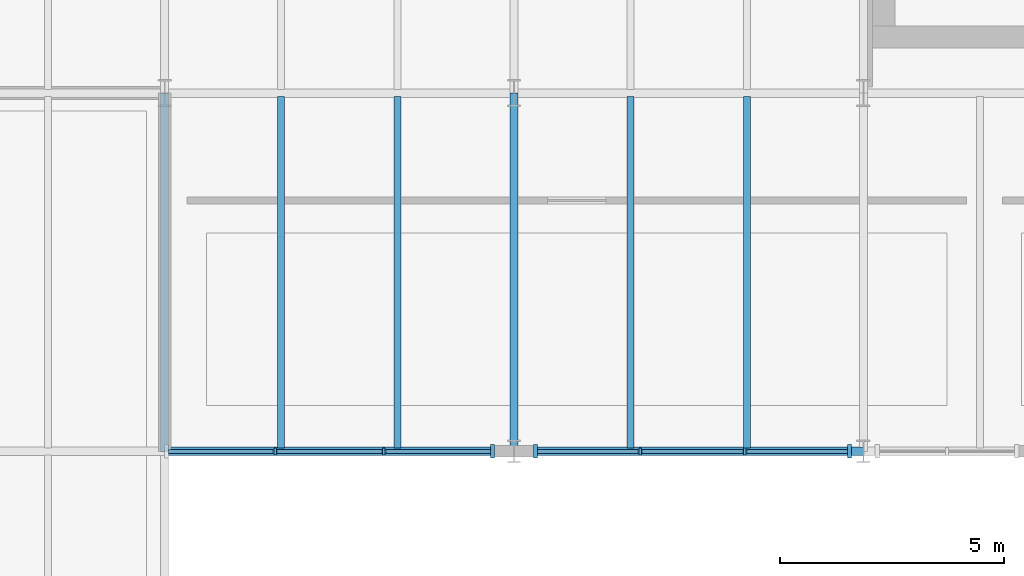
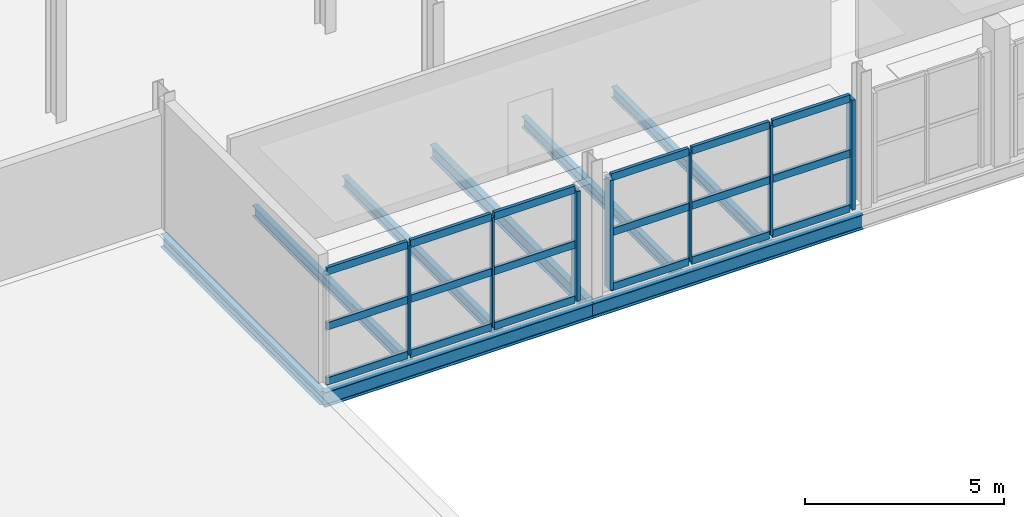
# One storey, part 19 of 58: 25 members, 8 beams, 2 elements without a shape of their own.
"""IFC4 building model written with IfcOpenShell, lengths in metres."""

import ifcopenshell
import ifcopenshell.guid

model = None  # the IFC model being written
_history = None  # IfcOwnerHistory: only IFC2X3 demands one
_inside = {}  # id of a spatial element -> (the spatial element, [elements in it])
_under = {}  # id of a project, library or spatial element -> (it, [spatial elements below it])
_declared = {}  # id of a project -> (the project, [libraries it declares])
_typed = {}  # id of a type object -> (the type object, [elements of that type])
_made_of = {}  # id of a material, layer set ... -> (it, [elements and type objects made of it])


def new_model(schema):
    """Start an empty IFC model of exactly this schema.

    Asked for "IFC4X3", IfcOpenShell would pick the latest addendum, in which some entities
    have other attributes; the version numbers below select the first issue.
    IFC2X3 requires an IfcOwnerHistory on every rooted entity: one is made here for all.
    """
    global model, _history
    if schema == "IFC4X3":
        model = ifcopenshell.file(schema_version=(4, 3, 0, 0))
    else:
        model = ifcopenshell.file(schema=schema)
    _inside.clear()
    _under.clear()
    _declared.clear()
    _typed.clear()
    _made_of.clear()
    _history = None
    if model.schema == "IFC2X3":
        org = make("IfcOrganization", Name="unknown")
        user = make(
            "IfcPersonAndOrganization",
            ThePerson=make("IfcPerson", FamilyName="unknown"),
            TheOrganization=org,
        )
        app = make(
            "IfcApplication",
            ApplicationDeveloper=org,
            Version="unknown",
            ApplicationFullName="unknown",
            ApplicationIdentifier="unknown",
        )
        _history = make(
            "IfcOwnerHistory",
            OwningUser=user,
            OwningApplication=app,
            ChangeAction="ADDED",
            CreationDate=0,
        )
    return model


def make(cls, **values):
    """One entity of the class cls with the attributes given. An attribute that is None is left unset."""
    return model.create_entity(
        cls, **{name: value for name, value in values.items() if value is not None}
    )


def rooted(cls, **values):
    """An entity with a GlobalId (a new one), such as an element, a storey or a relation."""
    return make(cls, GlobalId=ifcopenshell.guid.new(), OwnerHistory=_history, **values)


def si_unit(unit_type, name, prefix=None):
    """IfcSIUnit, for example si_unit("LENGTHUNIT", "METRE", prefix="MILLI")."""
    return make("IfcSIUnit", UnitType=unit_type, Prefix=prefix, Name=name)


def assignment(units):
    """IfcUnitAssignment: the units of a project."""
    return None if units is None else make("IfcUnitAssignment", Units=units)


def point(xyz):
    """IfcCartesianPoint."""
    return None if xyz is None else make("IfcCartesianPoint", Coordinates=xyz)


def direction(xyz):
    """IfcDirection."""
    return None if xyz is None else make("IfcDirection", DirectionRatios=xyz)


def frame(location, z_axis=None, x_axis=None):
    """IfcAxis2Placement3D, a coordinate frame: its origin and axes. An axis left out is left unset."""
    return make(
        "IfcAxis2Placement3D",
        Location=point(location),
        Axis=direction(z_axis),
        RefDirection=direction(x_axis),
    )


def frame_2d(location, x_axis=None):
    """IfcAxis2Placement2D, a coordinate frame in the plane: its origin and x axis."""
    return make(
        "IfcAxis2Placement2D", Location=point(location), RefDirection=direction(x_axis)
    )


def origin():
    """The frame at (0, 0, 0) with its axes left unset."""
    return frame((0.0, 0.0, 0.0))


def origin_2d():
    """The frame at (0, 0) in the plane with its x axis left unset."""
    return frame_2d((0.0, 0.0))


def place(relative_to, where):
    """IfcLocalPlacement: puts the frame where relative to a parent placement (None: the world)."""
    return make(
        "IfcLocalPlacement", PlacementRelTo=relative_to, RelativePlacement=where
    )


def context(
    kind, dimensions, precision=None, world=None, true_north=None, identifier=None
):
    """IfcGeometricRepresentationContext, for example the 3D "Model" context."""
    return make(
        "IfcGeometricRepresentationContext",
        ContextIdentifier=identifier,
        ContextType=kind,
        CoordinateSpaceDimension=dimensions,
        Precision=precision,
        WorldCoordinateSystem=world,
        TrueNorth=true_north,
    )


def subcontext(parent, identifier, kind, view, scale=None):
    """IfcGeometricRepresentationSubContext, for example "Body" below "Model"."""
    return make(
        "IfcGeometricRepresentationSubContext",
        ContextIdentifier=identifier,
        ContextType=kind,
        ParentContext=parent,
        TargetScale=scale,
        TargetView=view,
    )


def project(units=None, contexts=None):
    """IfcProject with its units and contexts."""
    return rooted(
        "IfcProject",
        Name="project",
        RepresentationContexts=contexts,
        UnitsInContext=assignment(units),
    )


def spatial(cls, under=None, at=None, **own):
    """A site, building, storey or space (cls), placed at a placement, below another one or the project."""
    s = rooted(cls, ObjectPlacement=at, **own)
    if under is not None:
        _under.setdefault(under.id(), (under, []))[1].append(s)
    return s


def profile(cls, at=None, kind="AREA", **sizes):
    """A parametric profile (cls). Its sizes go by their IFC names, for example OverallWidth=200.0."""
    return make(cls, ProfileType=kind, Position=at, **sizes)


def rectangle(**sizes):
    """IfcRectangleProfileDef."""
    return profile("IfcRectangleProfileDef", **sizes)


def i_section(**sizes):
    """IfcIShapeProfileDef."""
    return profile("IfcIShapeProfileDef", **sizes)


def extrude(swept, where, along, depth):
    """IfcExtrudedAreaSolid: the profile swept, set in the frame where, extruded along a direction by depth."""
    return make(
        "IfcExtrudedAreaSolid",
        SweptArea=swept,
        Position=where,
        ExtrudedDirection=direction(along),
        Depth=depth,
    )


def shape(context_of_items, identifier, shape_type, items):
    """IfcShapeRepresentation: the items that make up one representation, for example the "Body"."""
    return make(
        "IfcShapeRepresentation",
        ContextOfItems=context_of_items,
        RepresentationIdentifier=identifier,
        RepresentationType=shape_type,
        Items=items,
    )


def material(Name=None, Category=None):
    """IfcMaterial."""
    return make("IfcMaterial", Name=Name, Category=Category)


def layer(
    of_material, thickness, ventilated=None, Name=None, Category=None, Priority=None
):
    """IfcMaterialLayer: one layer of a wall or slab, of a material (None: an air gap)."""
    return make(
        "IfcMaterialLayer",
        Material=of_material,
        LayerThickness=thickness,
        IsVentilated=ventilated,
        Name=Name,
        Category=Category,
        Priority=Priority,
    )


def layer_set(layers, Name=None):
    """IfcMaterialLayerSet."""
    return make("IfcMaterialLayerSet", MaterialLayers=layers, LayerSetName=Name)


def material_profile(
    of_material, cross_section, Name=None, Category=None, Priority=None
):
    """IfcMaterialProfile: a cross section and its material."""
    return make(
        "IfcMaterialProfile",
        Name=Name,
        Material=of_material,
        Profile=cross_section,
        Priority=Priority,
        Category=Category,
    )


def profile_set(profiles, Name=None, composite=None):
    """IfcMaterialProfileSet."""
    return make(
        "IfcMaterialProfileSet",
        Name=Name,
        MaterialProfiles=profiles,
        CompositeProfile=composite,
    )


def made_of(thing, what):
    """Note that an element or type object is made of a material, layer set ...; save() writes the relation."""
    if what is not None:
        _made_of.setdefault(what.id(), (what, []))[1].append(thing)
    return thing


def type_object(cls, material=None, **own):
    """A type object (cls), such as IfcWallType, which elements share."""
    return made_of(rooted(cls, **own), material)


def element(
    cls,
    number,
    at=None,
    inside=None,
    cuts=None,
    type_object=None,
    material=None,
    context=None,
    identifier="Body",
    shape_type=None,
    held_by="IfcProductDefinitionShape",
    body=None,
    shapes=None,
    **own,
):
    """One element of the class cls, such as IfcWall. Its Tag is "e" and its number.

    at: its placement. inside: the storey or other place that contains it. cuts: it is an
    opening in that element (IfcRelVoidsElement). A single representation is given by context,
    identifier, shape_type and body (its items); several are given by shapes. held_by: the class
    of the entity that holds the representations. save() writes the other relations.
    """
    e = rooted(cls, Tag="e%d" % number, ObjectPlacement=at, **own)
    if body is not None:
        shapes = [shape(context, identifier, shape_type, body)]
    if shapes is not None:
        e.Representation = make(held_by, Representations=shapes)
    if inside is not None:
        _inside.setdefault(inside.id(), (inside, []))[1].append(e)
    if cuts is not None:
        rooted(
            "IfcRelVoidsElement", RelatingBuildingElement=cuts, RelatedOpeningElement=e
        )
    if type_object is not None:
        _typed.setdefault(type_object.id(), (type_object, []))[1].append(e)
    return made_of(e, material)


def aggregate(whole, parts):
    """IfcRelAggregates: a whole, such as a stair, and the parts it consists of."""
    return rooted("IfcRelAggregates", RelatingObject=whole, RelatedObjects=parts)


def save(model, path):
    """Write the relations noted so far, then the file.

    IfcRelAggregates (storeys below a building ...), IfcRelContainedInSpatialStructure (elements
    in a storey), IfcRelDefinesByType, IfcRelAssociatesMaterial and IfcRelDeclares: one each for
    every whole, place, type object, material and project.
    """
    for whole, parts in _under.values():
        aggregate(whole, parts)
    for where, things in _inside.values():
        rooted(
            "IfcRelContainedInSpatialStructure",
            RelatedElements=things,
            RelatingStructure=where,
        )
    for kind, things in _typed.values():
        rooted("IfcRelDefinesByType", RelatedObjects=things, RelatingType=kind)
    for what, things in _made_of.values():
        rooted("IfcRelAssociatesMaterial", RelatedObjects=things, RelatingMaterial=what)
    for by, libraries in _declared.values():
        rooted("IfcRelDeclares", RelatingContext=by, RelatedDefinitions=libraries)
    model.write(path)


model = new_model("IFC4")

# Units and contexts
model_context = context("Model", 3, precision=1e-05, world=origin(), true_north=direction((0.0, 1.0)))
body_context = subcontext(model_context, "Body", "Model", "MODEL_VIEW")
ifc_project = project(units=[si_unit("LENGTHUNIT", "METRE"), si_unit("AREAUNIT", "SQUARE_METRE"), si_unit("VOLUMEUNIT", "CUBIC_METRE"), si_unit("PLANEANGLEUNIT", "RADIAN"), si_unit("MASSUNIT", "GRAM", prefix="KILO")], contexts=[model_context])

# Site, building, storey
site_placement = place(None, origin())
site = spatial("IfcSite", under=ifc_project, at=site_placement, CompositionType="ELEMENT")
building_placement = place(site_placement, origin())
building = spatial("IfcBuilding", under=site, at=building_placement, Name="Sefraquen Railside Congress Hotel", CompositionType="ELEMENT")
storey_placement = place(building_placement, frame((0.0, 0.0, 16.199951171875)))
storey = spatial("IfcBuildingStorey", under=building, at=storey_placement, Name="L03", CompositionType="ELEMENT", Elevation=16.199951171875)

# Beams
ifc_material_1 = material(Name="Steel S355JR", Category="steel")
ifc_material_profile_1 = material_profile(ifc_material_1, i_section(OverallWidth=0.179931640625, OverallDepth=0.39990234375, WebThickness=0.008544921875, FlangeThickness=0.013427734375, FilletRadius=0.02099609375, at=origin_2d()), Name="IPE 400")
ifc_profile_set_1 = profile_set([ifc_material_profile_1], Name="Steel S355JR")
beam_type_1 = type_object("IfcBeamType", Name="TB-BM-400I", PredefinedType="BEAM", material=ifc_profile_set_1)
for number, where, z_axis, x_axis, name in (
    (1, (48.60009765625, 88.0, -0.47998046875), (0.0, 1.0, 0.0), (-1.0, 0.0, 0.0), "Floor beam BM-L03-1181"),
    (2, (56.39990234375, 88.0, -0.47998046875), (0.0, 1.0, 0.0), (-1.0, 0.0, 0.0), "Floor beam BM-L03-1185"),
):
    element("IfcBeam", number, at=place(storey_placement, frame(where, z_axis=z_axis, x_axis=x_axis)), inside=storey, type_object=beam_type_1, Name=name, PredefinedType="BEAM", context=body_context, shape_type="SweptSolid", body=[
        extrude(i_section(OverallWidth=0.179931640625, OverallDepth=0.39990234375, WebThickness=0.008544921875, FlangeThickness=0.013427734375, FilletRadius=0.02099609375, at=origin_2d()), origin(), (0.0, 0.0, 1.0), 8.0),
    ])
ifc_material_profile_2 = material_profile(ifc_material_1, i_section(OverallWidth=0.18994140625, OverallDepth=0.449951171875, WebThickness=0.009521484375, FlangeThickness=0.0146484375, FilletRadius=0.02099609375, at=origin_2d()), Name="IPE 450")
ifc_profile_set_2 = profile_set([ifc_material_profile_2], Name="Steel S355JR")
beam_type_2 = type_object("IfcBeamType", Name="TB-BM-450", PredefinedType="BEAM", material=ifc_profile_set_2)
beam_1_placement = place(storey_placement, frame((48.60009765625, 88.0, -0.5048828125), z_axis=(1.0, 0.0, 0.0), x_axis=(0.0, 1.0, 0.0)))
element("IfcBeam", 3, at=beam_1_placement, inside=storey, type_object=beam_type_2, Name="Primary girder BM-L03-1060", PredefinedType="BEAM", context=body_context, shape_type="SweptSolid", body=[
    extrude(i_section(OverallWidth=0.18994140625, OverallDepth=0.449951171875, WebThickness=0.009521484375, FlangeThickness=0.0146484375, FilletRadius=0.02099609375, at=origin_2d()), origin(), (0.0, 0.0, 1.0), 7.7998046875),
])
beam_2_placement = place(storey_placement, frame((56.39990234375, 88.0, -0.5048828125), z_axis=(1.0, 0.0, 0.0), x_axis=(0.0, 1.0, 0.0)))
element("IfcBeam", 4, at=beam_2_placement, inside=storey, type_object=beam_type_2, Name="Primary girder BM-L03-1061", PredefinedType="BEAM", context=body_context, shape_type="SweptSolid", body=[
    extrude(i_section(OverallWidth=0.18994140625, OverallDepth=0.449951171875, WebThickness=0.009521484375, FlangeThickness=0.0146484375, FilletRadius=0.02099609375, at=origin_2d()), origin(), (0.0, 0.0, 1.0), 7.800048828125),
])
ifc_material_profile_3 = material_profile(ifc_material_1, i_section(OverallWidth=0.159912109375, OverallDepth=0.330078125, WebThickness=0.007568359375, FlangeThickness=0.011474609375, FilletRadius=0.01806640625, at=origin_2d()), Name="IPE 330")
ifc_profile_set_3 = profile_set([ifc_material_profile_3], Name="Steel S355JR")
beam_type_3 = type_object("IfcBeamType", Name="TB-JST-330", PredefinedType="JOIST", material=ifc_profile_set_3)
for number, where, z_axis, x_axis, name in (
    (5, (51.199951171875, 88.074951171875, -0.445068359375), (0.0, 1.0, 0.0), (-1.0, 0.0, 0.0), "Composite floor joist BM-L03-J0730"),
    (6, (53.800048828125, 88.074951171875, -0.445068359375), (0.0, 1.0, 0.0), (-1.0, 0.0, 0.0), "Composite floor joist BM-L03-J0731"),
    (7, (59.0, 88.074951171875, -0.445068359375), (0.0, 1.0, 0.0), (-1.0, 0.0, 0.0), "Composite floor joist BM-L03-J0738"),
    (8, (61.60009765625, 88.074951171875, -0.445068359375), (0.0, 1.0, 0.0), (-1.0, 0.0, 0.0), "Composite floor joist BM-L03-J0739"),
):
    element("IfcBeam", number, at=place(storey_placement, frame(where, z_axis=z_axis, x_axis=x_axis)), inside=storey, type_object=beam_type_3, Name=name, PredefinedType="JOIST", context=body_context, shape_type="SweptSolid", body=[
        extrude(i_section(OverallWidth=0.159912109375, OverallDepth=0.330078125, WebThickness=0.007568359375, FlangeThickness=0.011474609375, FilletRadius=0.01806640625, at=origin_2d()), origin(), (0.0, 0.0, 1.0), 7.85009765625),
    ])

# Curtain wall, members
ifc_material_2 = material(Name="Thermally broken anodised aluminium and low-E double glazing", Category="aluminium")
ifc_layer = layer(ifc_material_2, 0.199951171875)
ifc_layer_set = layer_set([ifc_layer], Name="Thermally broken anodised aluminium and low-E double glazing")
curtain_wall_type = type_object("IfcCurtainWallType", Name="TCW-UCW-32", PredefinedType="USERDEFINED", material=ifc_layer_set)
curtain_wall_1_placement = place(storey_placement, origin())
curtain_wall_1 = element("IfcCurtainWall", 9, at=curtain_wall_1_placement, inside=storey, type_object=curtain_wall_type, Name="Meeting Wing L03 courtyard north curtain wall 1", ObjectType="UNITISED CURTAIN WALL", PredefinedType="USERDEFINED")
ifc_material_3 = material(Name="Thermally broken anodised aluminium 6063-T6", Category="aluminium")
ifc_material_profile_4 = material_profile(ifc_material_3, rectangle(XDim=0.06005859375, YDim=0.159912109375, at=origin_2d()), Name="CWM 60x160")
ifc_profile_set_4 = profile_set([ifc_material_profile_4], Name="Thermally broken anodised aluminium 6063-T6")
member_type_1 = type_object("IfcMemberType", Name="TM-CWM-01", PredefinedType="MULLION", material=ifc_profile_set_4)
member_1_placement = place(storey_placement, frame((51.066650390625, 88.0, 0.0), z_axis=(0.0, 0.0, 1.0), x_axis=(1.0, 0.0, 0.0)))
member_1 = element("IfcMember", 10, at=member_1_placement, type_object=member_type_1, Name="CW-L03-064 mullion 2", PredefinedType="MULLION", context=body_context, shape_type="SweptSolid", body=[
    extrude(rectangle(XDim=0.06005859375, YDim=0.159912109375, at=origin_2d()), origin(), (0.0, 0.0, 1.0), 3.3701171875),
])
member_2_placement = place(storey_placement, frame((53.493408203125, 88.0, 0.0), z_axis=(0.0, 0.0, 1.0), x_axis=(1.0, 0.0, 0.0)))
member_2 = element("IfcMember", 11, at=member_2_placement, type_object=member_type_1, Name="CW-L03-064 mullion 3", PredefinedType="MULLION", context=body_context, shape_type="SweptSolid", body=[
    extrude(rectangle(XDim=0.06005859375, YDim=0.159912109375, at=origin_2d()), origin(), (0.0, 0.0, 1.0), 3.3701171875),
])

curtain_wall_2_placement = place(storey_placement, origin())
curtain_wall_2 = element("IfcCurtainWall", 12, at=curtain_wall_2_placement, inside=storey, type_object=curtain_wall_type, Name="Meeting Wing L03 courtyard north curtain wall 1 bay 2", ObjectType="UNITISED CURTAIN WALL", PredefinedType="USERDEFINED")
member_3_placement = place(storey_placement, frame((59.216796875, 88.0, 0.0), z_axis=(0.0, 0.0, 1.0), x_axis=(1.0, 0.0, 0.0)))
member_3 = element("IfcMember", 13, at=member_3_placement, type_object=member_type_1, Name="CW-L03-064-S2 mullion 2", PredefinedType="MULLION", context=body_context, shape_type="SweptSolid", body=[
    extrude(rectangle(XDim=0.06005859375, YDim=0.159912109375, at=origin_2d()), origin(), (0.0, 0.0, 1.0), 3.3701171875),
])
member_4_placement = place(storey_placement, frame((61.55322265625, 88.0, 0.0), z_axis=(0.0, 0.0, 1.0), x_axis=(1.0, 0.0, 0.0)))
member_4 = element("IfcMember", 14, at=member_4_placement, type_object=member_type_1, Name="CW-L03-064-S2 mullion 3", PredefinedType="MULLION", context=body_context, shape_type="SweptSolid", body=[
    extrude(rectangle(XDim=0.06005859375, YDim=0.159912109375, at=origin_2d()), origin(), (0.0, 0.0, 1.0), 3.3701171875),
])

# Member
ifc_material_profile_5 = material_profile(ifc_material_3, rectangle(XDim=0.094970703125, YDim=0.300048828125, at=origin_2d()), Name="CWM 95x300")
ifc_profile_set_5 = profile_set([ifc_material_profile_5], Name="Thermally broken anodised aluminium 6063-T6")
member_type_2 = type_object("IfcMemberType", Name="TM-CWM-08", PredefinedType="MULLION", material=ifc_profile_set_5)
member_5_placement = place(storey_placement, frame((55.919921875, 88.0, 0.0), z_axis=(0.0, 0.0, 1.0), x_axis=(1.0, 0.0, 0.0)))
member_5 = element("IfcMember", 15, at=member_5_placement, type_object=member_type_2, Name="CW-L03-064 mullion 4", PredefinedType="MULLION", context=body_context, shape_type="SweptSolid", body=[
    extrude(rectangle(XDim=0.094970703125, YDim=0.300048828125, at=origin_2d()), origin(), (0.0, 0.0, 1.0), 3.3701171875),
])

member_6_placement = place(storey_placement, frame((56.8798828125, 88.0, 0.0), z_axis=(0.0, 0.0, 1.0), x_axis=(1.0, 0.0, 0.0)))
member_6 = element("IfcMember", 16, at=member_6_placement, type_object=member_type_2, Name="CW-L03-064-S2 mullion 1", PredefinedType="MULLION", context=body_context, shape_type="SweptSolid", body=[
    extrude(rectangle(XDim=0.094970703125, YDim=0.300048828125, at=origin_2d()), origin(), (0.0, 0.0, 1.0), 3.3701171875),
])

member_7_placement = place(storey_placement, frame((63.889892578125, 88.0, 0.0), z_axis=(0.0, 0.0, 1.0), x_axis=(1.0, 0.0, 0.0)))
member_7 = element("IfcMember", 17, at=member_7_placement, type_object=member_type_2, Name="CW-L03-064-S2 mullion 4", PredefinedType="MULLION", context=body_context, shape_type="SweptSolid", body=[
    extrude(rectangle(XDim=0.094970703125, YDim=0.300048828125, at=origin_2d()), origin(), (0.0, 0.0, 1.0), 3.3701171875),
])

ifc_material_profile_6 = material_profile(ifc_material_3, rectangle(XDim=0.094970703125, YDim=0.22509765625, at=origin_2d()), Name="CWT 95x225")
ifc_profile_set_6 = profile_set([ifc_material_profile_6], Name="Thermally broken anodised aluminium 6063-T6")
member_type_3 = type_object("IfcMemberType", Name="TM-CWT-08", PredefinedType="USERDEFINED", material=ifc_profile_set_6)
member_8_placement = place(storey_placement, frame((48.68505859375, 88.0, 0.0), z_axis=(1.0, 0.0, 0.0), x_axis=(0.0, 1.0, 0.0)))
member_8 = element("IfcMember", 18, at=member_8_placement, type_object=member_type_3, Name="CW-L03-064 transom 1.1", ObjectType="TRANSOM", PredefinedType="USERDEFINED", context=body_context, shape_type="SweptSolid", body=[
    extrude(rectangle(XDim=0.094970703125, YDim=0.22509765625, at=origin_2d()), origin(), (0.0, 0.0, 1.0), 2.336669921875),
])

member_9_placement = place(storey_placement, frame((51.11181640625, 88.0, 0.0), z_axis=(1.0, 0.0, 0.0), x_axis=(0.0, 1.0, 0.0)))
member_9 = element("IfcMember", 19, at=member_9_placement, type_object=member_type_3, Name="CW-L03-064 transom 1.2", ObjectType="TRANSOM", PredefinedType="USERDEFINED", context=body_context, shape_type="SweptSolid", body=[
    extrude(rectangle(XDim=0.094970703125, YDim=0.22509765625, at=origin_2d()), origin(), (0.0, 0.0, 1.0), 2.33642578125),
])

member_10_placement = place(storey_placement, frame((53.538330078125, 88.0, 0.0), z_axis=(1.0, 0.0, 0.0), x_axis=(0.0, 1.0, 0.0)))
member_10 = element("IfcMember", 20, at=member_10_placement, type_object=member_type_3, Name="CW-L03-064 transom 1.3", ObjectType="TRANSOM", PredefinedType="USERDEFINED", context=body_context, shape_type="SweptSolid", body=[
    extrude(rectangle(XDim=0.094970703125, YDim=0.22509765625, at=origin_2d()), origin(), (0.0, 0.0, 1.0), 2.336669921875),
])

member_11_placement = place(storey_placement, frame((48.68505859375, 88.0, 1.68505859375), z_axis=(1.0, 0.0, 0.0), x_axis=(0.0, 1.0, 0.0)))
member_11 = element("IfcMember", 21, at=member_11_placement, type_object=member_type_3, Name="CW-L03-064 transom 2.1", ObjectType="TRANSOM", PredefinedType="USERDEFINED", context=body_context, shape_type="SweptSolid", body=[
    extrude(rectangle(XDim=0.094970703125, YDim=0.22509765625, at=origin_2d()), origin(), (0.0, 0.0, 1.0), 2.336669921875),
])

member_12_placement = place(storey_placement, frame((51.11181640625, 88.0, 1.68505859375), z_axis=(1.0, 0.0, 0.0), x_axis=(0.0, 1.0, 0.0)))
member_12 = element("IfcMember", 22, at=member_12_placement, type_object=member_type_3, Name="CW-L03-064 transom 2.2", ObjectType="TRANSOM", PredefinedType="USERDEFINED", context=body_context, shape_type="SweptSolid", body=[
    extrude(rectangle(XDim=0.094970703125, YDim=0.22509765625, at=origin_2d()), origin(), (0.0, 0.0, 1.0), 2.33642578125),
])

member_13_placement = place(storey_placement, frame((53.538330078125, 88.0, 1.68505859375), z_axis=(1.0, 0.0, 0.0), x_axis=(0.0, 1.0, 0.0)))
member_13 = element("IfcMember", 23, at=member_13_placement, type_object=member_type_3, Name="CW-L03-064 transom 2.3", ObjectType="TRANSOM", PredefinedType="USERDEFINED", context=body_context, shape_type="SweptSolid", body=[
    extrude(rectangle(XDim=0.094970703125, YDim=0.22509765625, at=origin_2d()), origin(), (0.0, 0.0, 1.0), 2.336669921875),
])

member_14_placement = place(storey_placement, frame((48.68505859375, 88.0, 3.3701171875), z_axis=(1.0, 0.0, 0.0), x_axis=(0.0, 1.0, 0.0)))
member_14 = element("IfcMember", 24, at=member_14_placement, type_object=member_type_3, Name="CW-L03-064 transom 3.1", ObjectType="TRANSOM", PredefinedType="USERDEFINED", context=body_context, shape_type="SweptSolid", body=[
    extrude(rectangle(XDim=0.094970703125, YDim=0.22509765625, at=origin_2d()), origin(), (0.0, 0.0, 1.0), 2.336669921875),
])

member_15_placement = place(storey_placement, frame((51.11181640625, 88.0, 3.3701171875), z_axis=(1.0, 0.0, 0.0), x_axis=(0.0, 1.0, 0.0)))
member_15 = element("IfcMember", 25, at=member_15_placement, type_object=member_type_3, Name="CW-L03-064 transom 3.2", ObjectType="TRANSOM", PredefinedType="USERDEFINED", context=body_context, shape_type="SweptSolid", body=[
    extrude(rectangle(XDim=0.094970703125, YDim=0.22509765625, at=origin_2d()), origin(), (0.0, 0.0, 1.0), 2.33642578125),
])

member_16_placement = place(storey_placement, frame((53.538330078125, 88.0, 3.3701171875), z_axis=(1.0, 0.0, 0.0), x_axis=(0.0, 1.0, 0.0)))
member_16 = element("IfcMember", 26, at=member_16_placement, type_object=member_type_3, Name="CW-L03-064 transom 3.3", ObjectType="TRANSOM", PredefinedType="USERDEFINED", context=body_context, shape_type="SweptSolid", body=[
    extrude(rectangle(XDim=0.094970703125, YDim=0.22509765625, at=origin_2d()), origin(), (0.0, 0.0, 1.0), 2.336669921875),
])

aggregate(curtain_wall_1, [member_1, member_2, member_5, member_8, member_9, member_10, member_11, member_12, member_13, member_14, member_15, member_16])

member_17_placement = place(storey_placement, frame((56.925048828125, 88.0, 0.0), z_axis=(1.0, 0.0, 0.0), x_axis=(0.0, 1.0, 0.0)))
member_17 = element("IfcMember", 27, at=member_17_placement, type_object=member_type_3, Name="CW-L03-064-S2 transom 1.1", ObjectType="TRANSOM", PredefinedType="USERDEFINED", context=body_context, shape_type="SweptSolid", body=[
    extrude(rectangle(XDim=0.094970703125, YDim=0.22509765625, at=origin_2d()), origin(), (0.0, 0.0, 1.0), 2.24658203125),
])

member_18_placement = place(storey_placement, frame((59.26171875, 88.0, 0.0), z_axis=(1.0, 0.0, 0.0), x_axis=(0.0, 1.0, 0.0)))
member_18 = element("IfcMember", 28, at=member_18_placement, type_object=member_type_3, Name="CW-L03-064-S2 transom 1.2", ObjectType="TRANSOM", PredefinedType="USERDEFINED", context=body_context, shape_type="SweptSolid", body=[
    extrude(rectangle(XDim=0.094970703125, YDim=0.22509765625, at=origin_2d()), origin(), (0.0, 0.0, 1.0), 2.24658203125),
])

member_19_placement = place(storey_placement, frame((61.598388671875, 88.0, 0.0), z_axis=(1.0, 0.0, 0.0), x_axis=(0.0, 1.0, 0.0)))
member_19 = element("IfcMember", 29, at=member_19_placement, type_object=member_type_3, Name="CW-L03-064-S2 transom 1.3", ObjectType="TRANSOM", PredefinedType="USERDEFINED", context=body_context, shape_type="SweptSolid", body=[
    extrude(rectangle(XDim=0.094970703125, YDim=0.22509765625, at=origin_2d()), origin(), (0.0, 0.0, 1.0), 2.24658203125),
])

member_20_placement = place(storey_placement, frame((56.925048828125, 88.0, 1.68505859375), z_axis=(1.0, 0.0, 0.0), x_axis=(0.0, 1.0, 0.0)))
member_20 = element("IfcMember", 30, at=member_20_placement, type_object=member_type_3, Name="CW-L03-064-S2 transom 2.1", ObjectType="TRANSOM", PredefinedType="USERDEFINED", context=body_context, shape_type="SweptSolid", body=[
    extrude(rectangle(XDim=0.094970703125, YDim=0.22509765625, at=origin_2d()), origin(), (0.0, 0.0, 1.0), 2.24658203125),
])

member_21_placement = place(storey_placement, frame((59.26171875, 88.0, 1.68505859375), z_axis=(1.0, 0.0, 0.0), x_axis=(0.0, 1.0, 0.0)))
member_21 = element("IfcMember", 31, at=member_21_placement, type_object=member_type_3, Name="CW-L03-064-S2 transom 2.2", ObjectType="TRANSOM", PredefinedType="USERDEFINED", context=body_context, shape_type="SweptSolid", body=[
    extrude(rectangle(XDim=0.094970703125, YDim=0.22509765625, at=origin_2d()), origin(), (0.0, 0.0, 1.0), 2.24658203125),
])

member_22_placement = place(storey_placement, frame((61.598388671875, 88.0, 1.68505859375), z_axis=(1.0, 0.0, 0.0), x_axis=(0.0, 1.0, 0.0)))
member_22 = element("IfcMember", 32, at=member_22_placement, type_object=member_type_3, Name="CW-L03-064-S2 transom 2.3", ObjectType="TRANSOM", PredefinedType="USERDEFINED", context=body_context, shape_type="SweptSolid", body=[
    extrude(rectangle(XDim=0.094970703125, YDim=0.22509765625, at=origin_2d()), origin(), (0.0, 0.0, 1.0), 2.24658203125),
])

member_23_placement = place(storey_placement, frame((56.925048828125, 88.0, 3.3701171875), z_axis=(1.0, 0.0, 0.0), x_axis=(0.0, 1.0, 0.0)))
member_23 = element("IfcMember", 33, at=member_23_placement, type_object=member_type_3, Name="CW-L03-064-S2 transom 3.1", ObjectType="TRANSOM", PredefinedType="USERDEFINED", context=body_context, shape_type="SweptSolid", body=[
    extrude(rectangle(XDim=0.094970703125, YDim=0.22509765625, at=origin_2d()), origin(), (0.0, 0.0, 1.0), 2.24658203125),
])

member_24_placement = place(storey_placement, frame((59.26171875, 88.0, 3.3701171875), z_axis=(1.0, 0.0, 0.0), x_axis=(0.0, 1.0, 0.0)))
member_24 = element("IfcMember", 34, at=member_24_placement, type_object=member_type_3, Name="CW-L03-064-S2 transom 3.2", ObjectType="TRANSOM", PredefinedType="USERDEFINED", context=body_context, shape_type="SweptSolid", body=[
    extrude(rectangle(XDim=0.094970703125, YDim=0.22509765625, at=origin_2d()), origin(), (0.0, 0.0, 1.0), 2.24658203125),
])

member_25_placement = place(storey_placement, frame((61.598388671875, 88.0, 3.3701171875), z_axis=(1.0, 0.0, 0.0), x_axis=(0.0, 1.0, 0.0)))
member_25 = element("IfcMember", 35, at=member_25_placement, type_object=member_type_3, Name="CW-L03-064-S2 transom 3.3", ObjectType="TRANSOM", PredefinedType="USERDEFINED", context=body_context, shape_type="SweptSolid", body=[
    extrude(rectangle(XDim=0.094970703125, YDim=0.22509765625, at=origin_2d()), origin(), (0.0, 0.0, 1.0), 2.24658203125),
])

aggregate(curtain_wall_2, [member_6, member_3, member_4, member_7, member_17, member_18, member_19, member_20, member_21, member_22, member_23, member_24, member_25])

save(model, "model.ifc")
